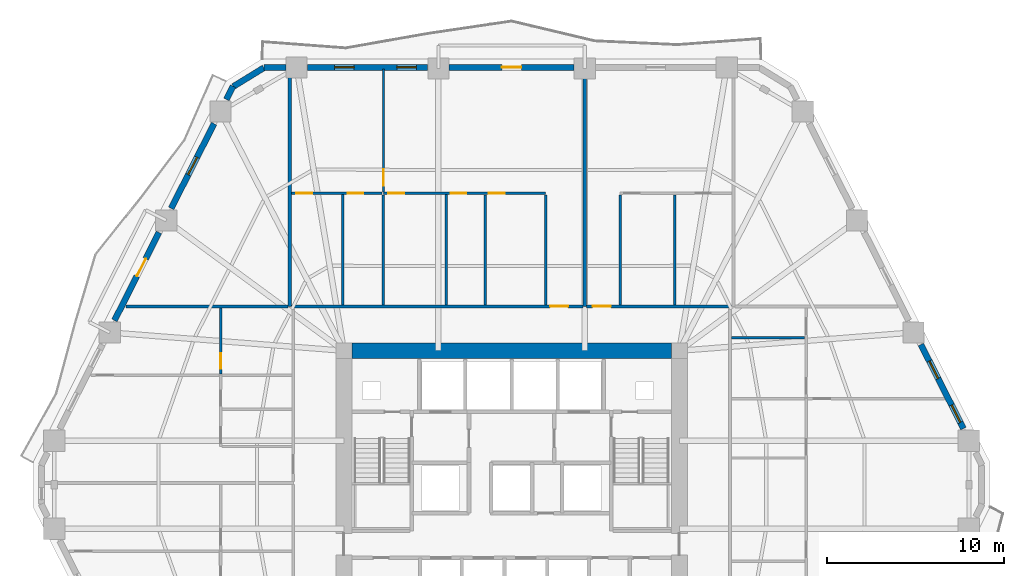
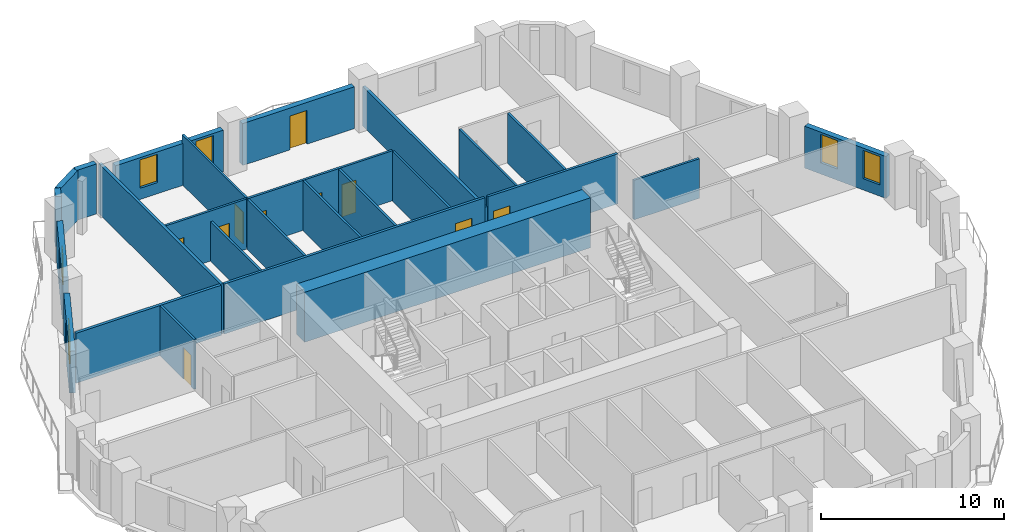
# One storey, part 7 of 12: 26 walls, 11 doors, 5 windows, 16 openings.
"""IFC4 building model written with IfcOpenShell, lengths in metres."""

import ifcopenshell
import ifcopenshell.guid

model = None  # the IFC model being written
_history = None  # IfcOwnerHistory: only IFC2X3 demands one
_inside = {}  # id of a spatial element -> (the spatial element, [elements in it])
_under = {}  # id of a project, library or spatial element -> (it, [spatial elements below it])
_declared = {}  # id of a project -> (the project, [libraries it declares])
_typed = {}  # id of a type object -> (the type object, [elements of that type])
_made_of = {}  # id of a material, layer set ... -> (it, [elements and type objects made of it])


def new_model(schema):
    """Start an empty IFC model of exactly this schema.

    Asked for "IFC4X3", IfcOpenShell would pick the latest addendum, in which some entities
    have other attributes; the version numbers below select the first issue.
    IFC2X3 requires an IfcOwnerHistory on every rooted entity: one is made here for all.
    """
    global model, _history
    if schema == "IFC4X3":
        model = ifcopenshell.file(schema_version=(4, 3, 0, 0))
    else:
        model = ifcopenshell.file(schema=schema)
    _inside.clear()
    _under.clear()
    _declared.clear()
    _typed.clear()
    _made_of.clear()
    _history = None
    if model.schema == "IFC2X3":
        org = make("IfcOrganization", Name="unknown")
        user = make(
            "IfcPersonAndOrganization",
            ThePerson=make("IfcPerson", FamilyName="unknown"),
            TheOrganization=org,
        )
        app = make(
            "IfcApplication",
            ApplicationDeveloper=org,
            Version="unknown",
            ApplicationFullName="unknown",
            ApplicationIdentifier="unknown",
        )
        _history = make(
            "IfcOwnerHistory",
            OwningUser=user,
            OwningApplication=app,
            ChangeAction="ADDED",
            CreationDate=0,
        )
    return model


def make(cls, **values):
    """One entity of the class cls with the attributes given. An attribute that is None is left unset."""
    return model.create_entity(
        cls, **{name: value for name, value in values.items() if value is not None}
    )


def rooted(cls, **values):
    """An entity with a GlobalId (a new one), such as an element, a storey or a relation."""
    return make(cls, GlobalId=ifcopenshell.guid.new(), OwnerHistory=_history, **values)


def si_unit(unit_type, name, prefix=None):
    """IfcSIUnit, for example si_unit("LENGTHUNIT", "METRE", prefix="MILLI")."""
    return make("IfcSIUnit", UnitType=unit_type, Prefix=prefix, Name=name)


def assignment(units):
    """IfcUnitAssignment: the units of a project."""
    return None if units is None else make("IfcUnitAssignment", Units=units)


def point(xyz):
    """IfcCartesianPoint."""
    return None if xyz is None else make("IfcCartesianPoint", Coordinates=xyz)


def direction(xyz):
    """IfcDirection."""
    return None if xyz is None else make("IfcDirection", DirectionRatios=xyz)


def frame(location, z_axis=None, x_axis=None):
    """IfcAxis2Placement3D, a coordinate frame: its origin and axes. An axis left out is left unset."""
    return make(
        "IfcAxis2Placement3D",
        Location=point(location),
        Axis=direction(z_axis),
        RefDirection=direction(x_axis),
    )


def frame_2d(location, x_axis=None):
    """IfcAxis2Placement2D, a coordinate frame in the plane: its origin and x axis."""
    return make(
        "IfcAxis2Placement2D", Location=point(location), RefDirection=direction(x_axis)
    )


def origin():
    """The frame at (0, 0, 0) with its axes left unset."""
    return frame((0.0, 0.0, 0.0))


def place(relative_to, where):
    """IfcLocalPlacement: puts the frame where relative to a parent placement (None: the world)."""
    return make(
        "IfcLocalPlacement", PlacementRelTo=relative_to, RelativePlacement=where
    )


def context(
    kind, dimensions, precision=None, world=None, true_north=None, identifier=None
):
    """IfcGeometricRepresentationContext, for example the 3D "Model" context."""
    return make(
        "IfcGeometricRepresentationContext",
        ContextIdentifier=identifier,
        ContextType=kind,
        CoordinateSpaceDimension=dimensions,
        Precision=precision,
        WorldCoordinateSystem=world,
        TrueNorth=true_north,
    )


def subcontext(parent, identifier, kind, view, scale=None):
    """IfcGeometricRepresentationSubContext, for example "Body" below "Model"."""
    return make(
        "IfcGeometricRepresentationSubContext",
        ContextIdentifier=identifier,
        ContextType=kind,
        ParentContext=parent,
        TargetScale=scale,
        TargetView=view,
    )


def project(units=None, contexts=None):
    """IfcProject with its units and contexts."""
    return rooted(
        "IfcProject",
        Name="project",
        RepresentationContexts=contexts,
        UnitsInContext=assignment(units),
    )


def spatial(cls, under=None, at=None, **own):
    """A site, building, storey or space (cls), placed at a placement, below another one or the project."""
    s = rooted(cls, ObjectPlacement=at, **own)
    if under is not None:
        _under.setdefault(under.id(), (under, []))[1].append(s)
    return s


def profile(cls, at=None, kind="AREA", **sizes):
    """A parametric profile (cls). Its sizes go by their IFC names, for example OverallWidth=200.0."""
    return make(cls, ProfileType=kind, Position=at, **sizes)


def rectangle(**sizes):
    """IfcRectangleProfileDef."""
    return profile("IfcRectangleProfileDef", **sizes)


def extrude(swept, where, along, depth):
    """IfcExtrudedAreaSolid: the profile swept, set in the frame where, extruded along a direction by depth."""
    return make(
        "IfcExtrudedAreaSolid",
        SweptArea=swept,
        Position=where,
        ExtrudedDirection=direction(along),
        Depth=depth,
    )


def shape(context_of_items, identifier, shape_type, items):
    """IfcShapeRepresentation: the items that make up one representation, for example the "Body"."""
    return make(
        "IfcShapeRepresentation",
        ContextOfItems=context_of_items,
        RepresentationIdentifier=identifier,
        RepresentationType=shape_type,
        Items=items,
    )


def material(Name=None, Category=None):
    """IfcMaterial."""
    return make("IfcMaterial", Name=Name, Category=Category)


def layer(
    of_material, thickness, ventilated=None, Name=None, Category=None, Priority=None
):
    """IfcMaterialLayer: one layer of a wall or slab, of a material (None: an air gap)."""
    return make(
        "IfcMaterialLayer",
        Material=of_material,
        LayerThickness=thickness,
        IsVentilated=ventilated,
        Name=Name,
        Category=Category,
        Priority=Priority,
    )


def layer_set(layers, Name=None):
    """IfcMaterialLayerSet."""
    return make("IfcMaterialLayerSet", MaterialLayers=layers, LayerSetName=Name)


def made_of(thing, what):
    """Note that an element or type object is made of a material, layer set ...; save() writes the relation."""
    if what is not None:
        _made_of.setdefault(what.id(), (what, []))[1].append(thing)
    return thing


def type_object(cls, material=None, **own):
    """A type object (cls), such as IfcWallType, which elements share."""
    return made_of(rooted(cls, **own), material)


def element(
    cls,
    number,
    at=None,
    inside=None,
    cuts=None,
    type_object=None,
    material=None,
    context=None,
    identifier="Body",
    shape_type=None,
    held_by="IfcProductDefinitionShape",
    body=None,
    shapes=None,
    **own,
):
    """One element of the class cls, such as IfcWall. Its Tag is "e" and its number.

    at: its placement. inside: the storey or other place that contains it. cuts: it is an
    opening in that element (IfcRelVoidsElement). A single representation is given by context,
    identifier, shape_type and body (its items); several are given by shapes. held_by: the class
    of the entity that holds the representations. save() writes the other relations.
    """
    e = rooted(cls, Tag="e%d" % number, ObjectPlacement=at, **own)
    if body is not None:
        shapes = [shape(context, identifier, shape_type, body)]
    if shapes is not None:
        e.Representation = make(held_by, Representations=shapes)
    if inside is not None:
        _inside.setdefault(inside.id(), (inside, []))[1].append(e)
    if cuts is not None:
        rooted(
            "IfcRelVoidsElement", RelatingBuildingElement=cuts, RelatedOpeningElement=e
        )
    if type_object is not None:
        _typed.setdefault(type_object.id(), (type_object, []))[1].append(e)
    return made_of(e, material)


def fill(opening, filler):
    """IfcRelFillsElement: the door or window that sits in an opening."""
    return rooted(
        "IfcRelFillsElement",
        RelatingOpeningElement=opening,
        RelatedBuildingElement=filler,
    )


def aggregate(whole, parts):
    """IfcRelAggregates: a whole, such as a stair, and the parts it consists of."""
    return rooted("IfcRelAggregates", RelatingObject=whole, RelatedObjects=parts)


def save(model, path):
    """Write the relations noted so far, then the file.

    IfcRelAggregates (storeys below a building ...), IfcRelContainedInSpatialStructure (elements
    in a storey), IfcRelDefinesByType, IfcRelAssociatesMaterial and IfcRelDeclares: one each for
    every whole, place, type object, material and project.
    """
    for whole, parts in _under.values():
        aggregate(whole, parts)
    for where, things in _inside.values():
        rooted(
            "IfcRelContainedInSpatialStructure",
            RelatedElements=things,
            RelatingStructure=where,
        )
    for kind, things in _typed.values():
        rooted("IfcRelDefinesByType", RelatedObjects=things, RelatingType=kind)
    for what, things in _made_of.values():
        rooted("IfcRelAssociatesMaterial", RelatedObjects=things, RelatingMaterial=what)
    for by, libraries in _declared.values():
        rooted("IfcRelDeclares", RelatingContext=by, RelatedDefinitions=libraries)
    model.write(path)


model = new_model("IFC4")

# Units and contexts
model_context = context("Model", 3, precision=1e-05, world=origin(), true_north=direction((0.0, 1.0)))
body_context = subcontext(model_context, "Body", "Model", "MODEL_VIEW")
ifc_project = project(units=[si_unit("LENGTHUNIT", "METRE"), si_unit("AREAUNIT", "SQUARE_METRE"), si_unit("VOLUMEUNIT", "CUBIC_METRE"), si_unit("PLANEANGLEUNIT", "RADIAN"), si_unit("MASSUNIT", "GRAM", prefix="KILO")], contexts=[model_context])

# Site, building, storey
site_placement = place(None, origin())
site = spatial("IfcSite", under=ifc_project, at=site_placement, CompositionType="ELEMENT")
building_placement = place(site_placement, origin())
building = spatial("IfcBuilding", under=site, at=building_placement, Name="Cinnabar Lancet Tower", CompositionType="ELEMENT")
storey_placement = place(building_placement, frame((0.0, 0.0, 32.0)))
storey = spatial("IfcBuildingStorey", under=building, at=storey_placement, Name="L07", CompositionType="ELEMENT", Elevation=32.0)

# Wall, opening, door
ifc_material_1 = material(Name="Acoustic twin-stud gypsum partition", Category="gypsum")
ifc_layer_1 = layer(ifc_material_1, 0.159912109375)
ifc_layer_set_1 = layer_set([ifc_layer_1], Name="Acoustic twin-stud gypsum partition")
wall_type_1 = type_object("IfcWallType", Name="ARC-WL-CORR-160", PredefinedType="PARTITIONING", material=ifc_layer_set_1)
wall_1_placement = place(storey_placement, frame((19.9951171875, 35.85009765625, 0.0), z_axis=(0.0, 0.0, 1.0), x_axis=(1.0, 0.0, 0.0)))
wall_1 = element("IfcWall", 1, at=wall_1_placement, inside=storey, type_object=wall_type_1, Name="L07 Unit N01 Corridor Wall", PredefinedType="PARTITIONING", context=body_context, shape_type="SweptSolid", body=[
    extrude(rectangle(XDim=16.431884765625, YDim=0.159912109375, at=frame_2d((8.2158203125, 0.0))), origin(), (0.0, 0.0, 1.0), 3.330078125),
])
opening_1_placement = place(wall_1_placement, frame((14.576904296875, 0.0, 0.0)))
opening_1 = element("IfcOpeningElement", 2, at=opening_1_placement, cuts=wall_1, Name="Opening UD-01", PredefinedType="OPENING", context=body_context, shape_type="SweptSolid", body=[
    extrude(rectangle(XDim=1.02001953125, YDim=2.25, at=frame_2d((0.510009765625, 1.125))), frame((0.0, 0.08984375, 0.0), z_axis=(0.0, -1.0, 0.0), x_axis=(1.0, 0.0, 0.0)), (0.0, 0.0, 1.0), 0.179931640625),
])
ifc_material_2 = material(Name="Solid timber fire-rated apartment entrance door", Category="wood")
door_type_1 = type_object("IfcDoorType", Name="ARC-DR-UNIT", OperationType="NOTDEFINED", PredefinedType="DOOR", material=ifc_material_2)
door_1_placement = place(opening_1_placement, origin())
door_1 = element("IfcDoor", 3, at=door_1_placement, inside=storey, type_object=door_type_1, Name="DR-L07-N01-ENT", OperationType="SINGLE_SWING_LEFT", OverallHeight=2.25, OverallWidth=1.02001953125, PredefinedType="DOOR", context=body_context, shape_type="SweptSolid", body=[
    extrude(rectangle(XDim=1.02001953125, YDim=2.25, at=frame_2d((0.510009765625, 1.125))), frame((0.0, 0.02490234375, 0.0), z_axis=(0.0, -1.0, 0.0), x_axis=(1.0, 0.0, 0.0)), (0.0, 0.0, 1.0), 0.050048828125),
])
fill(opening_1, door_1)

wall_2_placement = place(storey_placement, frame((36.616943359375, 35.85009765625, 0.0), z_axis=(0.0, 0.0, 1.0), x_axis=(1.0, 0.0, 0.0)))
wall_2 = element("IfcWall", 4, at=wall_2_placement, inside=storey, type_object=wall_type_1, Name="L07 Unit N02 Corridor Wall", PredefinedType="PARTITIONING", context=body_context, shape_type="SweptSolid", body=[
    extrude(rectangle(XDim=8.18798828125, YDim=0.159912109375, at=frame_2d((4.093994140625, 0.0))), origin(), (0.0, 0.0, 1.0), 3.330078125),
])
opening_2_placement = place(wall_2_placement, frame((0.35498046875, 0.0, 0.0)))
opening_2 = element("IfcOpeningElement", 5, at=opening_2_placement, cuts=wall_2, Name="Opening UD-01", PredefinedType="OPENING", context=body_context, shape_type="SweptSolid", body=[
    extrude(rectangle(XDim=1.02001953125, YDim=2.25, at=frame_2d((0.510009765625, 1.125))), frame((0.0, 0.08984375, 0.0), z_axis=(0.0, -1.0, 0.0), x_axis=(1.0, 0.0, 0.0)), (0.0, 0.0, 1.0), 0.179931640625),
])
door_2_placement = place(opening_2_placement, origin())
door_2 = element("IfcDoor", 6, at=door_2_placement, inside=storey, type_object=door_type_1, Name="DR-L07-N02-ENT", OperationType="SINGLE_SWING_RIGHT", OverallHeight=2.25, OverallWidth=1.02001953125, PredefinedType="DOOR", context=body_context, shape_type="SweptSolid", body=[
    extrude(rectangle(XDim=1.02001953125, YDim=2.25, at=frame_2d((0.510009765625, 1.125))), frame((0.0, 0.02490234375, 0.0), z_axis=(0.0, -1.0, 0.0), x_axis=(1.0, 0.0, 0.0)), (0.0, 0.0, 1.0), 0.050048828125),
])
fill(opening_2, door_2)

# Walls
ifc_material_3 = material(Name="Fire-rated twin-frame acoustic drywall", Category="gypsum")
ifc_layer_2 = layer(ifc_material_3, 0.179931640625)
ifc_layer_set_2 = layer_set([ifc_layer_2], Name="Fire-rated twin-frame acoustic drywall")
wall_type_2 = type_object("IfcWallType", Name="ARC-WL-PARTY-180", PredefinedType="PARTITIONING", material=ifc_layer_set_2)
wall_3_placement = place(storey_placement, frame((19.89990234375, 35.85009765625, 0.0), z_axis=(0.0, 0.0, 1.0), x_axis=(0.0, 1.0, 0.0)))
element("IfcWall", 7, at=wall_3_placement, inside=storey, type_object=wall_type_2, Name="PW-L07-NPTY-199", PredefinedType="PARTITIONING", context=body_context, shape_type="SweptSolid", body=[
    extrude(rectangle(XDim=13.294921875, YDim=0.179931640625, at=frame_2d((6.6474609375, 0.0))), origin(), (0.0, 0.0, 1.0), 3.330078125),
])
wall_4_placement = place(storey_placement, frame((36.52197265625, 35.85009765625, 0.0), z_axis=(0.0, 0.0, 1.0), x_axis=(0.0, 1.0, 0.0)))
element("IfcWall", 8, at=wall_4_placement, inside=storey, type_object=wall_type_2, Name="PW-L07-NPTY-365", PredefinedType="PARTITIONING", context=body_context, shape_type="SweptSolid", body=[
    extrude(rectangle(XDim=13.294921875, YDim=0.179931640625, at=frame_2d((6.6474609375, 0.0))), origin(), (0.0, 0.0, 1.0), 2.635986328125),
])
wall_5_placement = place(storey_placement, frame((10.6650390625, 35.85009765625, 0.0), z_axis=(0.0, 0.0, 1.0), x_axis=(1.0, 0.0, 0.0)))
element("IfcWall", 9, at=wall_5_placement, inside=storey, type_object=wall_type_2, Name="PW-L07-WNB", PredefinedType="PARTITIONING", context=body_context, shape_type="SweptSolid", body=[
    extrude(rectangle(XDim=9.139892578125, YDim=0.179931640625, at=frame_2d((4.56982421875, 0.0))), origin(), (0.0, 0.0, 1.0), 3.330078125),
])
ifc_material_4 = material(Name="Gypsum plasterboard stud partition", Category="gypsum")
ifc_layer_3 = layer(ifc_material_4, 0.125)
ifc_layer_set_3 = layer_set([ifc_layer_3], Name="Gypsum plasterboard stud partition")
wall_type_3 = type_object("IfcWallType", Name="ARC-WL-UNIT-125", PredefinedType="PARTITIONING", material=ifc_layer_set_3)
wall_6_placement = place(storey_placement, frame((34.322021484375, 35.93505859375, 0.0), z_axis=(0.0, 0.0, 1.0), x_axis=(0.0, 1.0, 0.0)))
element("IfcWall", 10, at=wall_6_placement, inside=storey, type_object=wall_type_3, Name="UW-L07-N01-FOYW", PredefinedType="PARTITIONING", context=body_context, shape_type="SweptSolid", body=[
    extrude(rectangle(XDim=6.19189453125, YDim=0.125, at=frame_2d((3.095947265625, 0.0))), origin(), (0.0, 0.0, 1.0), 3.330078125),
])

# Wall, opening, door
wall_7_placement = place(storey_placement, frame((25.179931640625, 42.306884765625, 0.0), z_axis=(0.0, 0.0, 1.0), x_axis=(0.0, 1.0, 0.0)))
wall_7 = element("IfcWall", 11, at=wall_7_placement, inside=storey, type_object=wall_type_3, Name="UW-L07-N01-MBW", PredefinedType="PARTITIONING", context=body_context, shape_type="SweptSolid", body=[
    extrude(rectangle(XDim=6.92822265625, YDim=0.125, at=frame_2d((3.464111328125, 0.0))), origin(), (0.0, 0.0, 1.0), 3.330078125),
])
opening_3_placement = place(wall_7_placement, frame((0.35009765625, 0.0, 0.0)))
opening_3 = element("IfcOpeningElement", 12, at=opening_3_placement, cuts=wall_7, Name="Opening RD-01", PredefinedType="OPENING", context=body_context, shape_type="SweptSolid", body=[
    extrude(rectangle(XDim=0.919921875, YDim=2.14990234375, at=frame_2d((0.4599609375, 1.074951171875))), frame((0.0, 0.072509765625, 0.0), z_axis=(0.0, -1.0, 0.0), x_axis=(1.0, 0.0, 0.0)), (0.0, 0.0, 1.0), 0.14501953125),
])
ifc_material_5 = material(Name="Engineered timber bedroom door", Category="wood")
door_type_2 = type_object("IfcDoorType", Name="ARC-DR-ROOM", OperationType="NOTDEFINED", PredefinedType="DOOR", material=ifc_material_5)
door_3_placement = place(opening_3_placement, origin())
door_3 = element("IfcDoor", 13, at=door_3_placement, inside=storey, type_object=door_type_2, Name="DR-L07-N01-MBD", OperationType="SINGLE_SWING_RIGHT", OverallHeight=2.14990234375, OverallWidth=0.919921875, PredefinedType="DOOR", context=body_context, shape_type="SweptSolid", body=[
    extrude(rectangle(XDim=0.919921875, YDim=2.14990234375, at=frame_2d((0.4599609375, 1.074951171875))), frame((0.0, 0.02490234375, 0.0), z_axis=(0.0, -1.0, 0.0), x_axis=(1.0, 0.0, 0.0)), (0.0, 0.0, 1.0), 0.050048828125),
])
fill(opening_3, door_3)

# Wall
wall_8_placement = place(storey_placement, frame((38.52197265625, 35.93505859375, 0.0), z_axis=(0.0, 0.0, 1.0), x_axis=(0.0, 1.0, 0.0)))
element("IfcWall", 14, at=wall_8_placement, inside=storey, type_object=wall_type_3, Name="UW-L07-N02-FOYE", PredefinedType="PARTITIONING", context=body_context, shape_type="SweptSolid", body=[
    extrude(rectangle(XDim=6.19189453125, YDim=0.125, at=frame_2d((3.095947265625, 0.0))), origin(), (0.0, 0.0, 1.0), 3.330078125),
])

# Wall, openings, doors
ifc_material_6 = material(Name="Moisture-resistant cement-board plumbing wall", Category="masonry")
ifc_layer_4 = layer(ifc_material_6, 0.139892578125)
ifc_layer_set_4 = layer_set([ifc_layer_4], Name="Moisture-resistant cement-board plumbing wall")
wall_type_4 = type_object("IfcWallType", Name="ARC-WL-WET-140", PredefinedType="PLUMBINGWALL", material=ifc_layer_set_4)
wall_9_placement = place(storey_placement, frame((25.179931640625, 42.23193359375, 0.0), z_axis=(0.0, 0.0, 1.0), x_axis=(1.0, 0.0, 0.0)))
wall_9 = element("IfcWall", 15, at=wall_9_placement, inside=storey, type_object=wall_type_4, Name="UW-L07-N01-SPL", PredefinedType="PLUMBINGWALL", context=body_context, shape_type="SweptSolid", body=[
    extrude(rectangle(XDim=9.14208984375, YDim=0.139892578125, at=frame_2d((4.571044921875, 0.0))), origin(), (0.0, 0.0, 1.0), 3.330078125),
])
opening_4_placement = place(wall_9_placement, frame((0.280029296875, 0.0, 0.0)))
opening_4 = element("IfcOpeningElement", 16, at=opening_4_placement, cuts=wall_9, Name="Opening RD-02", PredefinedType="OPENING", context=body_context, shape_type="SweptSolid", body=[
    extrude(rectangle(XDim=0.8798828125, YDim=2.14990234375, at=frame_2d((0.43994140625, 1.074951171875))), frame((0.0, 0.079833984375, 0.0), z_axis=(0.0, -1.0, 0.0), x_axis=(1.0, 0.0, 0.0)), (0.0, 0.0, 1.0), 0.159912109375),
])
opening_5_placement = place(wall_9_placement, frame((3.803955078125, 0.0, 0.0)))
opening_5 = element("IfcOpeningElement", 17, at=opening_5_placement, cuts=wall_9, Name="Opening BD-01", PredefinedType="OPENING", context=body_context, shape_type="SweptSolid", body=[
    extrude(rectangle(XDim=0.860107421875, YDim=2.10009765625, at=frame_2d((0.43017578125, 1.050048828125))), frame((0.0, 0.079833984375, 0.0), z_axis=(0.0, -1.0, 0.0), x_axis=(1.0, 0.0, 0.0)), (0.0, 0.0, 1.0), 0.159912109375),
])
opening_6_placement = place(wall_9_placement, frame((5.94189453125, 0.0, 0.0)))
opening_6 = element("IfcOpeningElement", 18, at=opening_6_placement, cuts=wall_9, Name="Opening RD-02", PredefinedType="OPENING", context=body_context, shape_type="SweptSolid", body=[
    extrude(rectangle(XDim=0.8798828125, YDim=2.14990234375, at=frame_2d((0.43994140625, 1.074951171875))), frame((0.0, 0.079833984375, 0.0), z_axis=(0.0, -1.0, 0.0), x_axis=(1.0, 0.0, 0.0)), (0.0, 0.0, 1.0), 0.159912109375),
])
ifc_material_7 = material(Name="Moisture-resistant timber bathroom door", Category="wood")
door_type_3 = type_object("IfcDoorType", Name="ARC-DR-BATH", OperationType="NOTDEFINED", PredefinedType="DOOR", material=ifc_material_7)
door_4_placement = place(opening_5_placement, origin())
door_4 = element("IfcDoor", 19, at=door_4_placement, inside=storey, type_object=door_type_3, Name="DR-L07-N01-BTH", OperationType="SINGLE_SWING_LEFT", OverallHeight=2.10009765625, OverallWidth=0.860107421875, PredefinedType="DOOR", context=body_context, shape_type="SweptSolid", body=[
    extrude(rectangle(XDim=0.860107421875, YDim=2.10009765625, at=frame_2d((0.43017578125, 1.050048828125))), frame((0.0, 0.02490234375, 0.0), z_axis=(0.0, -1.0, 0.0), x_axis=(1.0, 0.0, 0.0)), (0.0, 0.0, 1.0), 0.050048828125),
])
fill(opening_5, door_4)
ifc_material_8 = material(Name="Engineered timber study door", Category="wood")
door_type_4 = type_object("IfcDoorType", Name="ARC-DR-STUDY", OperationType="NOTDEFINED", PredefinedType="DOOR", material=ifc_material_8)
door_5_placement = place(opening_4_placement, origin())
door_5 = element("IfcDoor", 20, at=door_5_placement, inside=storey, type_object=door_type_4, Name="DR-L07-N01-BTH-WDR", OperationType="SINGLE_SWING_RIGHT", OverallHeight=2.14990234375, OverallWidth=0.8798828125, PredefinedType="DOOR", context=body_context, shape_type="SweptSolid", body=[
    extrude(rectangle(XDim=0.8798828125, YDim=2.14990234375, at=frame_2d((0.43994140625, 1.074951171875))), frame((0.0, 0.02490234375, 0.0), z_axis=(0.0, -1.0, 0.0), x_axis=(1.0, 0.0, 0.0)), (0.0, 0.0, 1.0), 0.050048828125),
])
fill(opening_4, door_5)
door_6_placement = place(opening_6_placement, origin())
door_6 = element("IfcDoor", 21, at=door_6_placement, inside=storey, type_object=door_type_4, Name="DR-L07-N01-KIT", OperationType="SINGLE_SWING_LEFT", OverallHeight=2.14990234375, OverallWidth=0.8798828125, PredefinedType="DOOR", context=body_context, shape_type="SweptSolid", body=[
    extrude(rectangle(XDim=0.8798828125, YDim=2.14990234375, at=frame_2d((0.43994140625, 1.074951171875))), frame((0.0, 0.02490234375, 0.0), z_axis=(0.0, -1.0, 0.0), x_axis=(1.0, 0.0, 0.0)), (0.0, 0.0, 1.0), 0.050048828125),
])
fill(opening_6, door_6)

wall_10_placement = place(storey_placement, frame((19.9951171875, 42.23193359375, 0.0), z_axis=(0.0, 0.0, 1.0), x_axis=(1.0, 0.0, 0.0)))
wall_10 = element("IfcWall", 22, at=wall_10_placement, inside=storey, type_object=wall_type_4, Name="UW-L07-N01-SPM", PredefinedType="PLUMBINGWALL", context=body_context, shape_type="SweptSolid", body=[
    extrude(rectangle(XDim=5.10986328125, YDim=0.139892578125, at=frame_2d((2.554931640625, 0.0))), origin(), (0.0, 0.0, 1.0), 3.330078125),
])
opening_7_placement = place(wall_10_placement, frame((0.280029296875, 0.0, 0.0)))
opening_7 = element("IfcOpeningElement", 23, at=opening_7_placement, cuts=wall_10, Name="Opening RD-02", PredefinedType="OPENING", context=body_context, shape_type="SweptSolid", body=[
    extrude(rectangle(XDim=0.8798828125, YDim=2.14990234375, at=frame_2d((0.43994140625, 1.074951171875))), frame((0.0, 0.079833984375, 0.0), z_axis=(0.0, -1.0, 0.0), x_axis=(1.0, 0.0, 0.0)), (0.0, 0.0, 1.0), 0.159912109375),
])
opening_8_placement = place(wall_10_placement, frame((3.172119140625, 0.0, 0.0)))
opening_8 = element("IfcOpeningElement", 24, at=opening_8_placement, cuts=wall_10, Name="Opening BD-01", PredefinedType="OPENING", context=body_context, shape_type="SweptSolid", body=[
    extrude(rectangle(XDim=0.860107421875, YDim=2.10009765625, at=frame_2d((0.43017578125, 1.050048828125))), frame((0.0, 0.079833984375, 0.0), z_axis=(0.0, -1.0, 0.0), x_axis=(1.0, 0.0, 0.0)), (0.0, 0.0, 1.0), 0.159912109375),
])
door_7_placement = place(opening_8_placement, origin())
door_7 = element("IfcDoor", 25, at=door_7_placement, inside=storey, type_object=door_type_3, Name="DR-L07-N01-ENS", OperationType="SINGLE_SWING_RIGHT", OverallHeight=2.10009765625, OverallWidth=0.860107421875, PredefinedType="DOOR", context=body_context, shape_type="SweptSolid", body=[
    extrude(rectangle(XDim=0.860107421875, YDim=2.10009765625, at=frame_2d((0.43017578125, 1.050048828125))), frame((0.0, 0.02490234375, 0.0), z_axis=(0.0, -1.0, 0.0), x_axis=(1.0, 0.0, 0.0)), (0.0, 0.0, 1.0), 0.050048828125),
])
fill(opening_8, door_7)
door_8_placement = place(opening_7_placement, origin())
door_8 = element("IfcDoor", 26, at=door_8_placement, inside=storey, type_object=door_type_4, Name="DR-L07-N01-ENS-WDR", OperationType="SINGLE_SWING_LEFT", OverallHeight=2.14990234375, OverallWidth=0.8798828125, PredefinedType="DOOR", context=body_context, shape_type="SweptSolid", body=[
    extrude(rectangle(XDim=0.8798828125, YDim=2.14990234375, at=frame_2d((0.43994140625, 1.074951171875))), frame((0.0, 0.02490234375, 0.0), z_axis=(0.0, -1.0, 0.0), x_axis=(1.0, 0.0, 0.0)), (0.0, 0.0, 1.0), 0.050048828125),
])
fill(opening_7, door_8)

# Walls
for number, where, z_axis, x_axis, name in (
    (27, (30.922119140625, 35.93505859375, 0.0), (0.0, 0.0, 1.0), (0.0, 1.0, 0.0), "UW-L07-N01-KBD"),
    (28, (25.179931640625, 35.93505859375, 0.0), (0.0, 0.0, 1.0), (0.0, 1.0, 0.0), "UW-L07-N01-ENSW"),
):
    element("IfcWall", number, at=place(storey_placement, frame(where, z_axis=z_axis, x_axis=x_axis)), inside=storey, type_object=wall_type_4, Name=name, PredefinedType="PLUMBINGWALL", context=body_context, shape_type="SweptSolid", body=[
        extrude(rectangle(XDim=6.19189453125, YDim=0.139892578125, at=frame_2d((3.095947265625, 0.0))), origin(), (0.0, 0.0, 1.0), 3.330078125),
    ])
wall_11_placement = place(storey_placement, frame((28.7041015625, 35.93505859375, 0.0), z_axis=(0.0, 0.0, 1.0), x_axis=(0.0, 1.0, 0.0)))
element("IfcWall", 29, at=wall_11_placement, inside=storey, type_object=wall_type_4, Name="UW-L07-N01-BTH-WDV", PredefinedType="PLUMBINGWALL", context=body_context, shape_type="SweptSolid", body=[
    extrude(rectangle(XDim=6.2119140625, YDim=0.139892578125, at=frame_2d((3.10595703125, 0.0))), origin(), (0.0, 0.0, 1.0), 3.330078125),
])
wall_12_placement = place(storey_placement, frame((22.886962890625, 35.93505859375, 0.0), z_axis=(0.0, 0.0, 1.0), x_axis=(0.0, 1.0, 0.0)))
element("IfcWall", 30, at=wall_12_placement, inside=storey, type_object=wall_type_4, Name="UW-L07-N01-ENS-WDV", PredefinedType="PLUMBINGWALL", context=body_context, shape_type="SweptSolid", body=[
    extrude(rectangle(XDim=6.2119140625, YDim=0.139892578125, at=frame_2d((3.10595703125, 0.0))), origin(), (0.0, 0.0, 1.0), 2.635986328125),
])
wall_13_placement = place(storey_placement, frame((41.5830078125, 35.93505859375, 0.0), z_axis=(0.0, 0.0, 1.0), x_axis=(0.0, 1.0, 0.0)))
element("IfcWall", 31, at=wall_13_placement, inside=storey, type_object=wall_type_4, Name="UW-L07-N02-KDV", PredefinedType="PLUMBINGWALL", context=body_context, shape_type="SweptSolid", body=[
    extrude(rectangle(XDim=6.19189453125, YDim=0.139892578125, at=frame_2d((3.095947265625, 0.0))), origin(), (0.0, 0.0, 1.0), 3.330078125),
])

# Wall, opening, door
wall_14_placement = place(storey_placement, frame((16.0, 32.0400390625, 0.0), z_axis=(0.0, 0.0, 1.0), x_axis=(0.0, 1.0, 0.0)))
wall_14 = element("IfcWall", 32, at=wall_14_placement, inside=storey, type_object=wall_type_4, Name="UW-L07-W02-SPM", PredefinedType="PLUMBINGWALL", context=body_context, shape_type="SweptSolid", body=[
    extrude(rectangle(XDim=3.71484375, YDim=0.139892578125, at=frame_2d((1.857421875, 0.0))), origin(), (0.0, 0.0, 1.0), 3.330078125),
])
opening_9_placement = place(wall_14_placement, frame((0.300048828125, 0.0, 0.0)))
opening_9 = element("IfcOpeningElement", 33, at=opening_9_placement, cuts=wall_14, Name="Opening BD-01", PredefinedType="OPENING", context=body_context, shape_type="SweptSolid", body=[
    extrude(rectangle(XDim=0.860107421875, YDim=2.10009765625, at=frame_2d((0.43017578125, 1.050048828125))), frame((0.0, 0.079833984375, 0.0), z_axis=(0.0, -1.0, 0.0), x_axis=(1.0, 0.0, 0.0)), (0.0, 0.0, 1.0), 0.159912109375),
])
door_9_placement = place(opening_9_placement, origin())
door_9 = element("IfcDoor", 34, at=door_9_placement, inside=storey, type_object=door_type_3, Name="DR-L07-W02-ENS", OperationType="SINGLE_SWING_LEFT", OverallHeight=2.10009765625, OverallWidth=0.860107421875, PredefinedType="DOOR", context=body_context, shape_type="SweptSolid", body=[
    extrude(rectangle(XDim=0.860107421875, YDim=2.10009765625, at=frame_2d((0.43017578125, 1.050048828125))), frame((0.0, 0.02490234375, 0.0), z_axis=(0.0, -1.0, 0.0), x_axis=(1.0, 0.0, 0.0)), (0.0, 0.0, 1.0), 0.050048828125),
])
fill(opening_9, door_9)

# Walls
wall_15_placement = place(storey_placement, frame((44.784912109375, 34.069091796875, 0.0), z_axis=(0.0, 0.0, 1.0), x_axis=(1.0, 0.0, 0.0)))
element("IfcWall", 35, at=wall_15_placement, inside=storey, type_object=wall_type_4, Name="UW-L07-E01-EWDV", PredefinedType="PLUMBINGWALL", context=body_context, shape_type="SweptSolid", body=[
    extrude(rectangle(XDim=4.130126953125, YDim=0.139892578125, at=frame_2d((2.06494140625, 0.0))), origin(), (0.0, 0.0, 1.0), 2.635986328125),
])
ifc_material_9 = material(Name="Cinnabar red clay brick", Category="masonry")
ifc_layer_5 = layer(ifc_material_9, 0.340087890625)
ifc_layer_set_5 = layer_set([ifc_layer_5], Name="Cinnabar red clay brick")
wall_type_5 = type_object("IfcWallType", Name="ENV-WL-BRK-RED-340", PredefinedType="STANDARD", material=ifc_layer_set_5)
wall_16_placement = place(storey_placement, frame((18.43896484375, 49.294921875, 0.0), z_axis=(0.0, 0.0, 1.0), x_axis=(-0.851870104345, -0.523753114857, 0.0)))
element("IfcWall", 36, at=wall_16_placement, inside=storey, type_object=wall_type_5, Name="L07 Chamfered Corner Brick Pier 5.1", PredefinedType="STANDARD", context=body_context, shape_type="SweptSolid", body=[
    extrude(rectangle(XDim=2.017822265625, YDim=0.340087890625, at=frame_2d((1.0087890625, 0.0))), origin(), (0.0, 0.0, 1.0), 3.330078125),
])

# Wall, openings, windows
wall_17_placement = place(storey_placement, frame((57.860107421875, 28.967041015625, 0.0), z_axis=(0.0, 0.0, 1.0), x_axis=(-0.451590635984, 0.892225250422, 0.0)))
wall_17 = element("IfcWall", 37, at=wall_17_placement, inside=storey, type_object=wall_type_5, Name="L07 Face 3 Masonry Bay Wall 2", PredefinedType="STANDARD", context=body_context, shape_type="SweptSolid", body=[
    extrude(rectangle(XDim=5.303466796875, YDim=0.340087890625, at=frame_2d((2.65185546875, 0.0))), origin(), (0.0, 0.0, 1.0), 2.787109375),
])
opening_10_placement = place(wall_17_placement, frame((0.384033203125, 0.0, 0.75)))
opening_10 = element("IfcOpeningElement", 38, at=opening_10_placement, cuts=wall_17, Name="Opening WN-04", PredefinedType="OPENING", context=body_context, shape_type="SweptSolid", body=[
    extrude(rectangle(XDim=1.10009765625, YDim=1.886962890625, at=frame_2d((0.550048828125, 0.943359375))), frame((0.0, 0.179931640625, 0.0), z_axis=(0.0, -1.0, 0.0), x_axis=(1.0, 0.0, 0.0)), (0.0, 0.0, 1.0), 0.360107421875),
])
opening_11_placement = place(wall_17_placement, frame((3.156005859375, 0.0, 0.75)))
opening_11 = element("IfcOpeningElement", 39, at=opening_11_placement, cuts=wall_17, Name="Opening WN-04", PredefinedType="OPENING", context=body_context, shape_type="SweptSolid", body=[
    extrude(rectangle(XDim=1.10009765625, YDim=1.886962890625, at=frame_2d((0.550048828125, 0.943359375))), frame((0.0, 0.179931640625, 0.0), z_axis=(0.0, -1.0, 0.0), x_axis=(1.0, 0.0, 0.0)), (0.0, 0.0, 1.0), 0.360107421875),
])
ifc_material_10 = material(Name="Thermally broken bronze-anodized aluminium tall lancet window", Category="aluminium")
window_type = type_object("IfcWindowType", Name="ENV-WN-LANCET-1100", PartitioningType="SINGLE_PANEL", PredefinedType="WINDOW", material=ifc_material_10)
window_1_placement = place(opening_10_placement, origin())
window_1 = element("IfcWindow", 40, at=window_1_placement, inside=storey, type_object=window_type, Name="L07 Face 3 Gothic Lancet Window 2", OverallHeight=1.886962890625, OverallWidth=1.10009765625, PartitioningType="SINGLE_PANEL", PredefinedType="WINDOW", context=body_context, shape_type="SweptSolid", body=[
    extrude(rectangle(XDim=1.10009765625, YDim=1.886962890625, at=frame_2d((0.550048828125, 0.943359375))), frame((0.0, 0.030029296875, 0.0), z_axis=(0.0, -1.0, 0.0), x_axis=(1.0, 0.0, 0.0)), (0.0, 0.0, 1.0), 0.06005859375),
])
fill(opening_10, window_1)
window_2_placement = place(opening_11_placement, origin())
window_2 = element("IfcWindow", 41, at=window_2_placement, inside=storey, type_object=window_type, Name="L07 Split-Bay Gothic Lancet Window 9", OverallHeight=1.886962890625, OverallWidth=1.10009765625, PartitioningType="SINGLE_PANEL", PredefinedType="WINDOW", context=body_context, shape_type="SweptSolid", body=[
    extrude(rectangle(XDim=1.10009765625, YDim=1.886962890625, at=frame_2d((0.550048828125, 0.943359375))), frame((0.0, 0.030029296875, 0.0), z_axis=(0.0, -1.0, 0.0), x_axis=(1.0, 0.0, 0.0)), (0.0, 0.0, 1.0), 0.06005859375),
])
fill(opening_11, window_2)

# Wall, opening, door
wall_18_placement = place(storey_placement, frame((35.91796875, 49.320068359375, 0.0), z_axis=(0.0, 0.0, 1.0), x_axis=(-1.0, 0.0, 0.0)))
wall_18 = element("IfcWall", 42, at=wall_18_placement, inside=storey, type_object=wall_type_5, Name="L07 Face 4 Masonry Bay Wall 3", PredefinedType="STANDARD", context=body_context, shape_type="SweptSolid", body=[
    extrude(rectangle(XDim=7.035888671875, YDim=0.340087890625, at=frame_2d((3.51806640625, 0.0))), origin(), (0.0, 0.0, 1.0), 2.787109375),
])
opening_12_placement = place(wall_18_placement, frame((2.968017578125, 0.0, 0.0)))
opening_12 = element("IfcOpeningElement", 43, at=opening_12_placement, cuts=wall_18, Name="Opening TD-01", PredefinedType="OPENING", context=body_context, shape_type="SweptSolid", body=[
    extrude(rectangle(XDim=1.10009765625, YDim=2.25, at=frame_2d((0.550048828125, 1.125))), frame((0.0, 0.179931640625, 0.0), z_axis=(0.0, -1.0, 0.0), x_axis=(1.0, 0.0, 0.0)), (0.0, 0.0, 1.0), 0.360107421875),
])
ifc_material_11 = material(Name="Thermally broken low-E glazed balcony terrace door", Category="wood")
door_type_5 = type_object("IfcDoorType", Name="ARC-DR-BALC", OperationType="NOTDEFINED", PredefinedType="DOOR", material=ifc_material_11)
door_10_placement = place(opening_12_placement, origin())
door_10 = element("IfcDoor", 44, at=door_10_placement, inside=storey, type_object=door_type_5, Name="L07 Face 4 Glazed Terrace Door", OperationType="SINGLE_SWING_LEFT", OverallHeight=2.25, OverallWidth=1.10009765625, PredefinedType="DOOR", context=body_context, shape_type="SweptSolid", body=[
    extrude(rectangle(XDim=1.10009765625, YDim=2.25, at=frame_2d((0.550048828125, 1.125))), frame((0.0, 0.02490234375, 0.0), z_axis=(0.0, -1.0, 0.0), x_axis=(1.0, 0.0, 0.0)), (0.0, 0.0, 1.0), 0.050048828125),
])
fill(opening_12, door_10)

# Wall, openings, windows
wall_19_placement = place(storey_placement, frame((27.674072265625, 49.320068359375, 0.0), z_axis=(0.0, 0.0, 1.0), x_axis=(-1.0, 0.0, 0.0)))
wall_19 = element("IfcWall", 45, at=wall_19_placement, inside=storey, type_object=wall_type_5, Name="L07 Face 4 Masonry Bay Wall 4", PredefinedType="STANDARD", context=body_context, shape_type="SweptSolid", body=[
    extrude(rectangle(XDim=6.787109375, YDim=0.340087890625, at=frame_2d((3.3935546875, 0.0))), origin(), (0.0, 0.0, 1.0), 2.787109375),
])
opening_13_placement = place(wall_19_placement, frame((0.64111328125, 0.0, 0.75)))
opening_13 = element("IfcOpeningElement", 46, at=opening_13_placement, cuts=wall_19, Name="Opening WN-04", PredefinedType="OPENING", context=body_context, shape_type="SweptSolid", body=[
    extrude(rectangle(XDim=1.10009765625, YDim=1.886962890625, at=frame_2d((0.550048828125, 0.943359375))), frame((0.0, 0.179931640625, 0.0), z_axis=(0.0, -1.0, 0.0), x_axis=(1.0, 0.0, 0.0)), (0.0, 0.0, 1.0), 0.360107421875),
])
opening_14_placement = place(wall_19_placement, frame((4.14697265625, 0.0, 0.75)))
opening_14 = element("IfcOpeningElement", 47, at=opening_14_placement, cuts=wall_19, Name="Opening WN-04", PredefinedType="OPENING", context=body_context, shape_type="SweptSolid", body=[
    extrude(rectangle(XDim=1.10009765625, YDim=1.886962890625, at=frame_2d((0.550048828125, 0.943359375))), frame((0.0, 0.179931640625, 0.0), z_axis=(0.0, -1.0, 0.0), x_axis=(1.0, 0.0, 0.0)), (0.0, 0.0, 1.0), 0.360107421875),
])
window_3_placement = place(opening_13_placement, origin())
window_3 = element("IfcWindow", 48, at=window_3_placement, inside=storey, type_object=window_type, Name="L07 Face 4 Gothic Lancet Window 4", OverallHeight=1.886962890625, OverallWidth=1.10009765625, PartitioningType="SINGLE_PANEL", PredefinedType="WINDOW", context=body_context, shape_type="SweptSolid", body=[
    extrude(rectangle(XDim=1.10009765625, YDim=1.886962890625, at=frame_2d((0.550048828125, 0.943359375))), frame((0.0, 0.030029296875, 0.0), z_axis=(0.0, -1.0, 0.0), x_axis=(1.0, 0.0, 0.0)), (0.0, 0.0, 1.0), 0.06005859375),
])
fill(opening_13, window_3)
window_4_placement = place(opening_14_placement, origin())
window_4 = element("IfcWindow", 49, at=window_4_placement, inside=storey, type_object=window_type, Name="L07 Split-Bay Gothic Lancet Window 10", OverallHeight=1.886962890625, OverallWidth=1.10009765625, PartitioningType="SINGLE_PANEL", PredefinedType="WINDOW", context=body_context, shape_type="SweptSolid", body=[
    extrude(rectangle(XDim=1.10009765625, YDim=1.886962890625, at=frame_2d((0.550048828125, 0.943359375))), frame((0.0, 0.030029296875, 0.0), z_axis=(0.0, -1.0, 0.0), x_axis=(1.0, 0.0, 0.0)), (0.0, 0.0, 1.0), 0.06005859375),
])
fill(opening_14, window_4)

# Walls
wall_20_placement = place(storey_placement, frame((19.678955078125, 49.320068359375, 0.0), z_axis=(0.0, 0.0, 1.0), x_axis=(-1.0, 0.0, 0.0)))
element("IfcWall", 50, at=wall_20_placement, inside=storey, type_object=wall_type_5, Name="L07 Face 4 Masonry Bay Wall 5", PredefinedType="STANDARD", context=body_context, shape_type="SweptSolid", body=[
    extrude(rectangle(XDim=1.244873046875, YDim=0.340087890625, at=frame_2d((0.62255859375, 0.0))), origin(), (0.0, 0.0, 1.0), 3.330078125),
])
wall_21_placement = place(storey_placement, frame((16.699951171875, 48.25390625, 0.0), z_axis=(0.0, 0.0, 1.0), x_axis=(-0.451995771866, -0.892020079491, 0.0)))
element("IfcWall", 51, at=wall_21_placement, inside=storey, type_object=wall_type_5, Name="L07 Face 5 Masonry Bay Wall 1", PredefinedType="STANDARD", context=body_context, shape_type="SweptSolid", body=[
    extrude(rectangle(XDim=0.836181640625, YDim=0.340087890625, at=frame_2d((0.41796875, 0.0))), origin(), (0.0, 0.0, 1.0), 3.330078125),
])

# Wall, opening, window
wall_22_placement = place(storey_placement, frame((15.634033203125, 46.14599609375, 0.0), z_axis=(0.0, 0.0, 1.0), x_axis=(-0.451697561555, -0.892171123095, 0.0)))
wall_22 = element("IfcWall", 52, at=wall_22_placement, inside=storey, type_object=wall_type_5, Name="L07 Face 5 Masonry Bay Wall 2", PredefinedType="STANDARD", context=body_context, shape_type="SweptSolid", body=[
    extrude(rectangle(XDim=5.350830078125, YDim=0.340087890625, at=frame_2d((2.67529296875, 0.0))), origin(), (0.0, 0.0, 1.0), 2.787109375),
])
opening_15_placement = place(wall_22_placement, frame((2.125, 0.0, 0.75)))
opening_15 = element("IfcOpeningElement", 53, at=opening_15_placement, cuts=wall_22, Name="Opening WN-04", PredefinedType="OPENING", context=body_context, shape_type="SweptSolid", body=[
    extrude(rectangle(XDim=1.10009765625, YDim=1.886962890625, at=frame_2d((0.550048828125, 0.943359375))), frame((0.0, 0.179931640625, 0.0), z_axis=(0.0, -1.0, 0.0), x_axis=(1.0, 0.0, 0.0)), (0.0, 0.0, 1.0), 0.360107421875),
])
window_5_placement = place(opening_15_placement, origin())
window_5 = element("IfcWindow", 54, at=window_5_placement, inside=storey, type_object=window_type, Name="L07 Face 5 Gothic Lancet Window 2", OverallHeight=1.886962890625, OverallWidth=1.10009765625, PartitioningType="SINGLE_PANEL", PredefinedType="WINDOW", context=body_context, shape_type="SweptSolid", body=[
    extrude(rectangle(XDim=1.10009765625, YDim=1.886962890625, at=frame_2d((0.550048828125, 0.943359375))), frame((0.0, 0.030029296875, 0.0), z_axis=(0.0, -1.0, 0.0), x_axis=(1.0, 0.0, 0.0)), (0.0, 0.0, 1.0), 0.06005859375),
])
fill(opening_15, window_5)

# Wall, opening, door
wall_23_placement = place(storey_placement, frame((12.529052734375, 40.010009765625, 0.0), z_axis=(0.0, 0.0, 1.0), x_axis=(-0.451627137896, -0.892206774417, 0.0)))
wall_23 = element("IfcWall", 55, at=wall_23_placement, inside=storey, type_object=wall_type_5, Name="L07 Face 5 Masonry Bay Wall 3", PredefinedType="STANDARD", context=body_context, shape_type="SweptSolid", body=[
    extrude(rectangle(XDim=5.546875, YDim=0.340087890625, at=frame_2d((2.7734375, 0.0))), origin(), (0.0, 0.0, 1.0), 2.787109375),
])
opening_16_placement = place(wall_23_placement, frame((1.656005859375, 0.0, 0.0)))
opening_16 = element("IfcOpeningElement", 56, at=opening_16_placement, cuts=wall_23, Name="Opening TD-01", PredefinedType="OPENING", context=body_context, shape_type="SweptSolid", body=[
    extrude(rectangle(XDim=1.10009765625, YDim=2.25, at=frame_2d((0.550048828125, 1.125))), frame((0.0, 0.179931640625, 0.0), z_axis=(0.0, -1.0, 0.0), x_axis=(1.0, 0.0, 0.0)), (0.0, 0.0, 1.0), 0.360107421875),
])
door_11_placement = place(opening_16_placement, origin())
door_11 = element("IfcDoor", 57, at=door_11_placement, inside=storey, type_object=door_type_5, Name="L07 Face 5 Glazed Terrace Door", OperationType="SINGLE_SWING_RIGHT", OverallHeight=2.25, OverallWidth=1.10009765625, PredefinedType="DOOR", context=body_context, shape_type="SweptSolid", body=[
    extrude(rectangle(XDim=1.10009765625, YDim=2.25, at=frame_2d((0.550048828125, 1.125))), frame((0.0, 0.02490234375, 0.0), z_axis=(0.0, -1.0, 0.0), x_axis=(1.0, 0.0, 0.0)), (0.0, 0.0, 1.0), 0.050048828125),
])
fill(opening_16, door_11)

# Wall
ifc_material_12 = material(Name="Concrete C80/95", Category="concrete")
ifc_layer_6 = layer(ifc_material_12, 0.89990234375)
ifc_layer_set_6 = layer_set([ifc_layer_6], Name="Concrete C80/95")
wall_type_6 = type_object("IfcWallType", Name="STR-WL-CORE-900", PredefinedType="SHEAR", material=ifc_layer_set_6)
wall_24_placement = place(storey_placement, frame((23.39990234375, 33.35009765625, 0.0), z_axis=(0.0, 0.0, 1.0), x_axis=(1.0, 0.0, 0.0)))
element("IfcWall", 58, at=wall_24_placement, inside=storey, type_object=wall_type_6, Name="L07 Core Shear Wall N", PredefinedType="SHEAR", context=body_context, shape_type="SweptSolid", body=[
    extrude(rectangle(XDim=18.0, YDim=0.89990234375, at=frame_2d((9.0, 0.0))), origin(), (0.0, 0.0, 1.0), 3.330078125),
])

save(model, "model.ifc")
